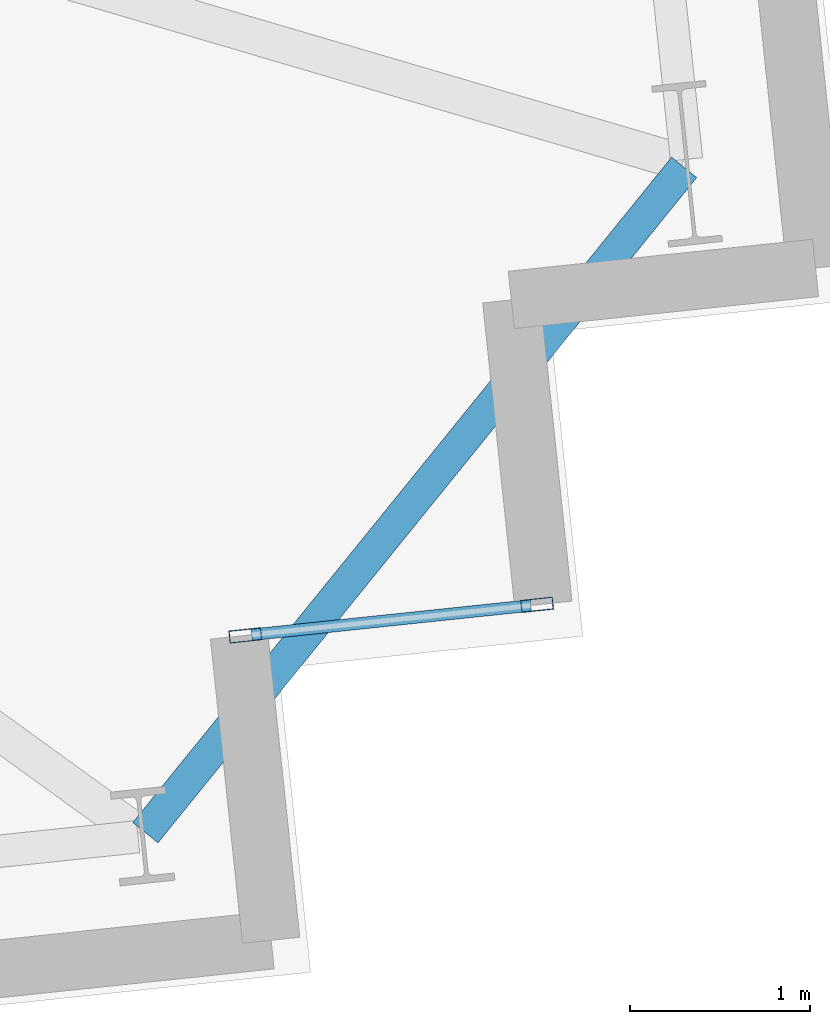
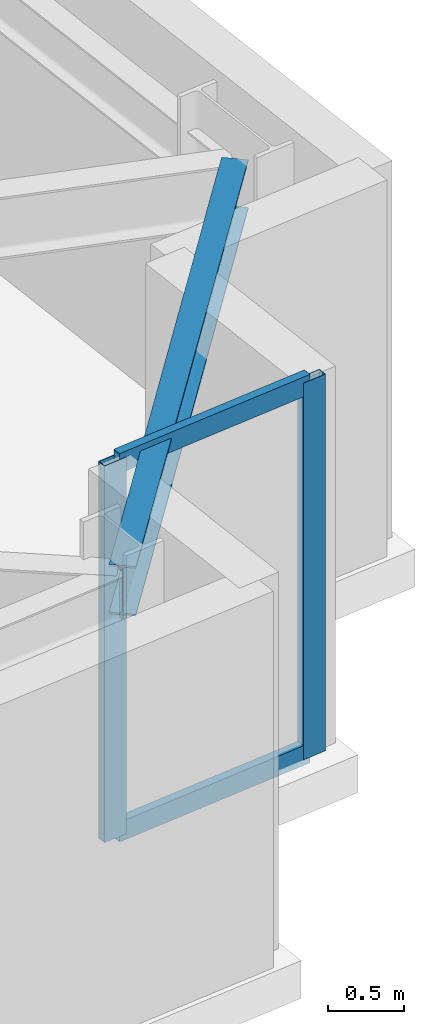
# One storey, part 6 of 19: 4 members, 1 beam, 1 element without a shape of its own.
"""IFC4 building model written with IfcOpenShell, lengths in metres."""

import ifcopenshell
import ifcopenshell.guid

model = None  # the IFC model being written
_history = None  # IfcOwnerHistory: only IFC2X3 demands one
_inside = {}  # id of a spatial element -> (the spatial element, [elements in it])
_under = {}  # id of a project, library or spatial element -> (it, [spatial elements below it])
_declared = {}  # id of a project -> (the project, [libraries it declares])
_typed = {}  # id of a type object -> (the type object, [elements of that type])
_made_of = {}  # id of a material, layer set ... -> (it, [elements and type objects made of it])


def new_model(schema):
    """Start an empty IFC model of exactly this schema.

    Asked for "IFC4X3", IfcOpenShell would pick the latest addendum, in which some entities
    have other attributes; the version numbers below select the first issue.
    IFC2X3 requires an IfcOwnerHistory on every rooted entity: one is made here for all.
    """
    global model, _history
    if schema == "IFC4X3":
        model = ifcopenshell.file(schema_version=(4, 3, 0, 0))
    else:
        model = ifcopenshell.file(schema=schema)
    _inside.clear()
    _under.clear()
    _declared.clear()
    _typed.clear()
    _made_of.clear()
    _history = None
    if model.schema == "IFC2X3":
        org = make("IfcOrganization", Name="unknown")
        user = make(
            "IfcPersonAndOrganization",
            ThePerson=make("IfcPerson", FamilyName="unknown"),
            TheOrganization=org,
        )
        app = make(
            "IfcApplication",
            ApplicationDeveloper=org,
            Version="unknown",
            ApplicationFullName="unknown",
            ApplicationIdentifier="unknown",
        )
        _history = make(
            "IfcOwnerHistory",
            OwningUser=user,
            OwningApplication=app,
            ChangeAction="ADDED",
            CreationDate=0,
        )
    return model


def make(cls, **values):
    """One entity of the class cls with the attributes given. An attribute that is None is left unset."""
    return model.create_entity(
        cls, **{name: value for name, value in values.items() if value is not None}
    )


def rooted(cls, **values):
    """An entity with a GlobalId (a new one), such as an element, a storey or a relation."""
    return make(cls, GlobalId=ifcopenshell.guid.new(), OwnerHistory=_history, **values)


def si_unit(unit_type, name, prefix=None):
    """IfcSIUnit, for example si_unit("LENGTHUNIT", "METRE", prefix="MILLI")."""
    return make("IfcSIUnit", UnitType=unit_type, Prefix=prefix, Name=name)


def assignment(units):
    """IfcUnitAssignment: the units of a project."""
    return None if units is None else make("IfcUnitAssignment", Units=units)


def point(xyz):
    """IfcCartesianPoint."""
    return None if xyz is None else make("IfcCartesianPoint", Coordinates=xyz)


def direction(xyz):
    """IfcDirection."""
    return None if xyz is None else make("IfcDirection", DirectionRatios=xyz)


def frame(location, z_axis=None, x_axis=None):
    """IfcAxis2Placement3D, a coordinate frame: its origin and axes. An axis left out is left unset."""
    return make(
        "IfcAxis2Placement3D",
        Location=point(location),
        Axis=direction(z_axis),
        RefDirection=direction(x_axis),
    )


def frame_2d(location, x_axis=None):
    """IfcAxis2Placement2D, a coordinate frame in the plane: its origin and x axis."""
    return make(
        "IfcAxis2Placement2D", Location=point(location), RefDirection=direction(x_axis)
    )


def origin():
    """The frame at (0, 0, 0) with its axes left unset."""
    return frame((0.0, 0.0, 0.0))


def origin_2d():
    """The frame at (0, 0) in the plane with its x axis left unset."""
    return frame_2d((0.0, 0.0))


def place(relative_to, where):
    """IfcLocalPlacement: puts the frame where relative to a parent placement (None: the world)."""
    return make(
        "IfcLocalPlacement", PlacementRelTo=relative_to, RelativePlacement=where
    )


def context(
    kind, dimensions, precision=None, world=None, true_north=None, identifier=None
):
    """IfcGeometricRepresentationContext, for example the 3D "Model" context."""
    return make(
        "IfcGeometricRepresentationContext",
        ContextIdentifier=identifier,
        ContextType=kind,
        CoordinateSpaceDimension=dimensions,
        Precision=precision,
        WorldCoordinateSystem=world,
        TrueNorth=true_north,
    )


def subcontext(parent, identifier, kind, view, scale=None):
    """IfcGeometricRepresentationSubContext, for example "Body" below "Model"."""
    return make(
        "IfcGeometricRepresentationSubContext",
        ContextIdentifier=identifier,
        ContextType=kind,
        ParentContext=parent,
        TargetScale=scale,
        TargetView=view,
    )


def project(units=None, contexts=None):
    """IfcProject with its units and contexts."""
    return rooted(
        "IfcProject",
        Name="project",
        RepresentationContexts=contexts,
        UnitsInContext=assignment(units),
    )


def spatial(cls, under=None, at=None, **own):
    """A site, building, storey or space (cls), placed at a placement, below another one or the project."""
    s = rooted(cls, ObjectPlacement=at, **own)
    if under is not None:
        _under.setdefault(under.id(), (under, []))[1].append(s)
    return s


def profile(cls, at=None, kind="AREA", **sizes):
    """A parametric profile (cls). Its sizes go by their IFC names, for example OverallWidth=200.0."""
    return make(cls, ProfileType=kind, Position=at, **sizes)


def hollow_rectangle(**sizes):
    """IfcRectangleHollowProfileDef."""
    return profile("IfcRectangleHollowProfileDef", **sizes)


def i_section(**sizes):
    """IfcIShapeProfileDef."""
    return profile("IfcIShapeProfileDef", **sizes)


def extrude(swept, where, along, depth):
    """IfcExtrudedAreaSolid: the profile swept, set in the frame where, extruded along a direction by depth."""
    return make(
        "IfcExtrudedAreaSolid",
        SweptArea=swept,
        Position=where,
        ExtrudedDirection=direction(along),
        Depth=depth,
    )


def shape(context_of_items, identifier, shape_type, items):
    """IfcShapeRepresentation: the items that make up one representation, for example the "Body"."""
    return make(
        "IfcShapeRepresentation",
        ContextOfItems=context_of_items,
        RepresentationIdentifier=identifier,
        RepresentationType=shape_type,
        Items=items,
    )


def material(Name=None, Category=None):
    """IfcMaterial."""
    return make("IfcMaterial", Name=Name, Category=Category)


def layer(
    of_material, thickness, ventilated=None, Name=None, Category=None, Priority=None
):
    """IfcMaterialLayer: one layer of a wall or slab, of a material (None: an air gap)."""
    return make(
        "IfcMaterialLayer",
        Material=of_material,
        LayerThickness=thickness,
        IsVentilated=ventilated,
        Name=Name,
        Category=Category,
        Priority=Priority,
    )


def layer_set(layers, Name=None):
    """IfcMaterialLayerSet."""
    return make("IfcMaterialLayerSet", MaterialLayers=layers, LayerSetName=Name)


def material_profile(
    of_material, cross_section, Name=None, Category=None, Priority=None
):
    """IfcMaterialProfile: a cross section and its material."""
    return make(
        "IfcMaterialProfile",
        Name=Name,
        Material=of_material,
        Profile=cross_section,
        Priority=Priority,
        Category=Category,
    )


def profile_set(profiles, Name=None, composite=None):
    """IfcMaterialProfileSet."""
    return make(
        "IfcMaterialProfileSet",
        Name=Name,
        MaterialProfiles=profiles,
        CompositeProfile=composite,
    )


def made_of(thing, what):
    """Note that an element or type object is made of a material, layer set ...; save() writes the relation."""
    if what is not None:
        _made_of.setdefault(what.id(), (what, []))[1].append(thing)
    return thing


def type_object(cls, material=None, **own):
    """A type object (cls), such as IfcWallType, which elements share."""
    return made_of(rooted(cls, **own), material)


def element(
    cls,
    number,
    at=None,
    inside=None,
    cuts=None,
    type_object=None,
    material=None,
    context=None,
    identifier="Body",
    shape_type=None,
    held_by="IfcProductDefinitionShape",
    body=None,
    shapes=None,
    **own,
):
    """One element of the class cls, such as IfcWall. Its Tag is "e" and its number.

    at: its placement. inside: the storey or other place that contains it. cuts: it is an
    opening in that element (IfcRelVoidsElement). A single representation is given by context,
    identifier, shape_type and body (its items); several are given by shapes. held_by: the class
    of the entity that holds the representations. save() writes the other relations.
    """
    e = rooted(cls, Tag="e%d" % number, ObjectPlacement=at, **own)
    if body is not None:
        shapes = [shape(context, identifier, shape_type, body)]
    if shapes is not None:
        e.Representation = make(held_by, Representations=shapes)
    if inside is not None:
        _inside.setdefault(inside.id(), (inside, []))[1].append(e)
    if cuts is not None:
        rooted(
            "IfcRelVoidsElement", RelatingBuildingElement=cuts, RelatedOpeningElement=e
        )
    if type_object is not None:
        _typed.setdefault(type_object.id(), (type_object, []))[1].append(e)
    return made_of(e, material)


def aggregate(whole, parts):
    """IfcRelAggregates: a whole, such as a stair, and the parts it consists of."""
    return rooted("IfcRelAggregates", RelatingObject=whole, RelatedObjects=parts)


def save(model, path):
    """Write the relations noted so far, then the file.

    IfcRelAggregates (storeys below a building ...), IfcRelContainedInSpatialStructure (elements
    in a storey), IfcRelDefinesByType, IfcRelAssociatesMaterial and IfcRelDeclares: one each for
    every whole, place, type object, material and project.
    """
    for whole, parts in _under.values():
        aggregate(whole, parts)
    for where, things in _inside.values():
        rooted(
            "IfcRelContainedInSpatialStructure",
            RelatedElements=things,
            RelatingStructure=where,
        )
    for kind, things in _typed.values():
        rooted("IfcRelDefinesByType", RelatedObjects=things, RelatingType=kind)
    for what, things in _made_of.values():
        rooted("IfcRelAssociatesMaterial", RelatedObjects=things, RelatingMaterial=what)
    for by, libraries in _declared.values():
        rooted("IfcRelDeclares", RelatingContext=by, RelatedDefinitions=libraries)
    model.write(path)


model = new_model("IFC4")

# Units and contexts
model_context = context("Model", 3, precision=1e-05, world=origin(), true_north=direction((0.0, 1.0)))
body_context = subcontext(model_context, "Body", "Model", "MODEL_VIEW")
ifc_project = project(units=[si_unit("LENGTHUNIT", "METRE"), si_unit("AREAUNIT", "SQUARE_METRE"), si_unit("VOLUMEUNIT", "CUBIC_METRE"), si_unit("PLANEANGLEUNIT", "RADIAN"), si_unit("MASSUNIT", "GRAM", prefix="KILO")], contexts=[model_context])

# Site, building, storey
site_placement = place(None, origin())
site = spatial("IfcSite", under=ifc_project, at=site_placement, CompositionType="ELEMENT")
building_placement = place(site_placement, origin())
building = spatial("IfcBuilding", under=site, at=building_placement, Name="Qobustan Lattice House", CompositionType="ELEMENT")
storey_placement = place(building_placement, frame((0.0, 0.0, 85.699951171875)))
storey = spatial("IfcBuildingStorey", under=building, at=storey_placement, Name="L23", CompositionType="ELEMENT", Elevation=85.699951171875)

# Beam
ifc_material_1 = material(Name="Steel S355", Category="steel")
ifc_material_profile_1 = material_profile(ifc_material_1, i_section(OverallWidth=0.179931640625, OverallDepth=0.39990234375, WebThickness=0.008544921875, FlangeThickness=0.013427734375, FilletRadius=0.02099609375, at=origin_2d()), Name="IPE400")
ifc_profile_set_1 = profile_set([ifc_material_profile_1], Name="Steel S355")
beam_type = type_object("IfcBeamType", Name="BM-SPD-IPE400", PredefinedType="SPANDREL", material=ifc_profile_set_1)
beam_placement = place(storey_placement, frame((29.608642578125, -13.3876953125, 2.844970703125), z_axis=(0.629351720588, 0.777120590252, 0.0), x_axis=(-0.777120590252, 0.629351720588, 0.0)))
element("IfcBeam", 1, at=beam_placement, inside=storey, type_object=beam_type, Name="L23 perimeter spandrel S7-E1", PredefinedType="SPANDREL", context=body_context, shape_type="SweptSolid", body=[
    extrude(i_section(OverallWidth=0.179931640625, OverallDepth=0.39990234375, WebThickness=0.008544921875, FlangeThickness=0.013427734375, FilletRadius=0.02099609375, at=origin_2d()), origin(), (0.0, 0.0, 1.0), 4.75830078125),
])

# Curtain wall, members
ifc_material_2 = material(Name="Anodised aluminium and low-E glazing", Category="aluminium")
ifc_layer = layer(ifc_material_2, 0.219970703125)
ifc_layer_set = layer_set([ifc_layer], Name="Anodised aluminium and low-E glazing")
curtain_wall_type = type_object("IfcCurtainWallType", Name="CW-FAC-01", PredefinedType="USERDEFINED", material=ifc_layer_set)
curtain_wall_placement = place(storey_placement, origin())
curtain_wall = element("IfcCurtainWall", 2, at=curtain_wall_placement, inside=storey, type_object=curtain_wall_type, Name="L23 serrated corner faceted glazing 18", ObjectType="CURTAIN WALL", PredefinedType="USERDEFINED")
ifc_material_3 = material(Name="Anodised aluminium EN AW-6063 T6", Category="aluminium")
ifc_material_profile_2 = material_profile(ifc_material_3, hollow_rectangle(XDim=0.070068359375, YDim=0.179931640625, WallThickness=0.00439453125, at=origin_2d()), Name="CWM-180x70")
ifc_profile_set_2 = profile_set([ifc_material_profile_2], Name="Anodised aluminium EN AW-6063 T6")
member_type_1 = type_object("IfcMemberType", Name="CWM-STD-180", PredefinedType="MULLION", material=ifc_profile_set_2)
member_1_placement = place(storey_placement, frame((31.785400390625, -12.12109375, 0.0), z_axis=(0.0, 0.0, 1.0), x_axis=(0.104528620025, -0.994521878892, 0.0)))
member_1 = element("IfcMember", 3, at=member_1_placement, type_object=member_type_1, Name="CW-F1 mullion 1", PredefinedType="MULLION", context=body_context, shape_type="SweptSolid", body=[
    extrude(hollow_rectangle(XDim=0.070068359375, YDim=0.179931640625, WallThickness=0.00439453125, at=origin_2d()), origin(), (0.0, 0.0, 1.0), 3.045166015625),
])
member_2_placement = place(storey_placement, frame((30.164306640625, -12.29150390625, 0.0), z_axis=(0.0, 0.0, 1.0), x_axis=(0.104528620025, -0.994521878892, 0.0)))
member_2 = element("IfcMember", 4, at=member_2_placement, type_object=member_type_1, Name="CW-F1 mullion 2", PredefinedType="MULLION", context=body_context, shape_type="SweptSolid", body=[
    extrude(hollow_rectangle(XDim=0.070068359375, YDim=0.179931640625, WallThickness=0.00439453125, at=origin_2d()), origin(), (0.0, 0.0, 1.0), 3.045166015625),
])
ifc_material_4 = material(Name="Anodised aluminium EN AW-6063 T6", Category="aluminium")
ifc_material_profile_3 = material_profile(ifc_material_4, hollow_rectangle(XDim=0.06494140625, YDim=0.159912109375, WallThickness=0.00390625, at=origin_2d()), Name="CWT-160x65")
ifc_profile_set_3 = profile_set([ifc_material_profile_3], Name="Anodised aluminium EN AW-6063 T6")
member_type_2 = type_object("IfcMemberType", Name="CWT-HOR-160", PredefinedType="USERDEFINED", material=ifc_profile_set_3)
member_3_placement = place(storey_placement, frame((31.750732421875, -12.124755859375, 0.032470703125), z_axis=(-0.994520877159, -0.104538150424, 0.0), x_axis=(0.104538150424, -0.994520877159, 0.0)))
member_3 = element("IfcMember", 5, at=member_3_placement, type_object=member_type_2, Name="CW-F1 transom 1.1", ObjectType="TRANSOM", PredefinedType="USERDEFINED", context=body_context, shape_type="SweptSolid", body=[
    extrude(hollow_rectangle(XDim=0.06494140625, YDim=0.159912109375, WallThickness=0.00390625, at=origin_2d()), origin(), (0.0, 0.0, 1.0), 1.56005859375),
])
member_4_placement = place(storey_placement, frame((31.750732421875, -12.124755859375, 3.012451171875), z_axis=(-0.994520877159, -0.104538150424, 0.0), x_axis=(0.104538150424, -0.994520877159, 0.0)))
member_4 = element("IfcMember", 6, at=member_4_placement, type_object=member_type_2, Name="CW-F1 transom 1.2", ObjectType="TRANSOM", PredefinedType="USERDEFINED", context=body_context, shape_type="SweptSolid", body=[
    extrude(hollow_rectangle(XDim=0.06494140625, YDim=0.159912109375, WallThickness=0.00390625, at=origin_2d()), origin(), (0.0, 0.0, 1.0), 1.56005859375),
])
aggregate(curtain_wall, [member_1, member_2, member_3, member_4])

save(model, "model.ifc")
